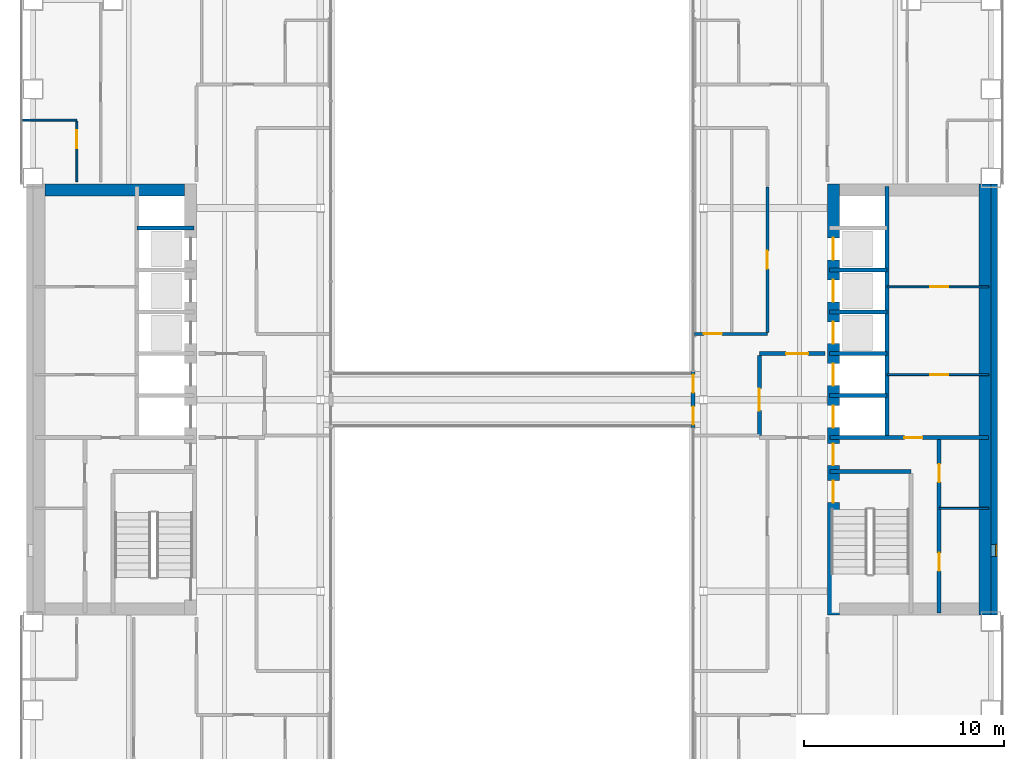
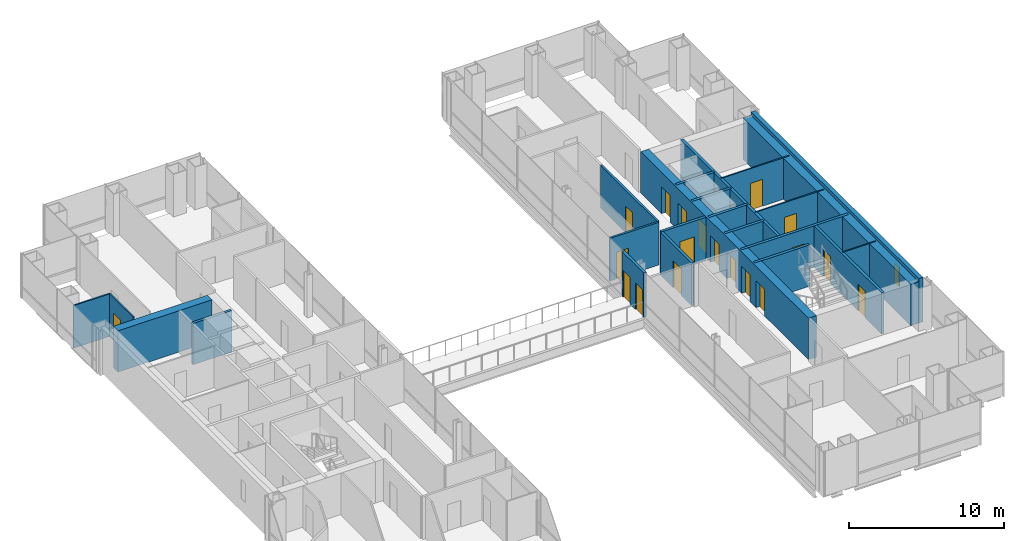
# One storey, part 16 of 19: 23 walls, 19 doors, 1 window, 20 openings.
"""IFC4 building model written with IfcOpenShell, lengths in metres."""

from ifc_helpers import new_model, si_unit, direction, frame, frame_2d, origin, place, context, subcontext, project, spatial, rectangle, extrude, material, layer, layer_set, type_object, element, fill, save


model = new_model("IFC4")

# Units and contexts
model_context = context("Model", 3, precision=1e-05, world=origin(), true_north=direction((0.0, 1.0)))
body_context = subcontext(model_context, "Body", "Model", "MODEL_VIEW")
ifc_project = project(units=[si_unit("LENGTHUNIT", "METRE"), si_unit("AREAUNIT", "SQUARE_METRE"), si_unit("VOLUMEUNIT", "CUBIC_METRE"), si_unit("PLANEANGLEUNIT", "RADIAN"), si_unit("MASSUNIT", "GRAM", prefix="KILO")], contexts=[model_context])

# Site, building, storey
site_placement = place(None, origin())
site = spatial("IfcSite", under=ifc_project, at=site_placement, CompositionType="ELEMENT")
building_placement = place(site_placement, origin())
building = spatial("IfcBuilding", under=site, at=building_placement, Name="Cobrizo Arcos Hotel Tower", CompositionType="ELEMENT")
storey_placement = place(building_placement, frame((0.0, 0.0, 63.5)))
storey = spatial("IfcBuildingStorey", under=building, at=storey_placement, Name="L14", CompositionType="ELEMENT", Elevation=63.5)

# Wall, opening, door
ifc_material_1 = material(Name="Gypsum board partition")
ifc_layer_1 = layer(ifc_material_1, 0.14990234375)
ifc_layer_set_1 = layer_set([ifc_layer_1], Name="Corridor wall EI 60 150")
wall_type_1 = type_object("IfcWallType", Name="Corridor wall EI 60 150", PredefinedType="PARTITIONING", material=ifc_layer_set_1)
wall_1_placement = place(storey_placement, frame((9.14990234375, 3.300048828125, 0.0), z_axis=(0.0, 0.0, 1.0), x_axis=(1.0, 0.0, 0.0)))
wall_1 = element("IfcWall", 1, at=wall_1_placement, inside=storey, type_object=wall_type_1, Name="Partition 029", PredefinedType="PARTITIONING", context=body_context, shape_type="SweptSolid", body=[
    extrude(rectangle(XDim=3.650146484375, YDim=0.14990234375, at=frame_2d((1.8251953125, 0.0))), origin(), (0.0, 0.0, 1.0), 3.35009765625),
])
opening_1_placement = place(wall_1_placement, frame((0.4619140625, 0.0, 0.0)))
opening_1 = element("IfcOpeningElement", 2, at=opening_1_placement, cuts=wall_1, Name="Opening ED-09", PredefinedType="OPENING", context=body_context, shape_type="SweptSolid", body=[
    extrude(rectangle(XDim=0.89990234375, YDim=2.10009765625, at=frame_2d((0.449951171875, 1.050048828125))), frame((0.0, 0.0869140625, 0.0), z_axis=(0.0, -1.0, 0.0), x_axis=(1.0, 0.0, 0.0)), (0.0, 0.0, 1.0), 0.173828125),
])
ifc_material_2 = material(Name="Timber door leaf", Category="wood")
door_type_1 = type_object("IfcDoorType", Name="En-suite door 900x2100", OperationType="SINGLE_SWING_LEFT", PredefinedType="DOOR", material=ifc_material_2)
door_1_placement = place(opening_1_placement, origin())
door_1 = element("IfcDoor", 3, at=door_1_placement, inside=storey, type_object=door_type_1, Name="Door ED-09", OperationType="SINGLE_SWING_LEFT", OverallHeight=2.10009765625, OverallWidth=0.89990234375, PredefinedType="DOOR", context=body_context, shape_type="SweptSolid", body=[
    extrude(rectangle(XDim=0.89990234375, YDim=2.10009765625, at=frame_2d((0.449951171875, 1.050048828125))), frame((0.0, 0.02490234375, 0.0), z_axis=(0.0, -1.0, 0.0), x_axis=(1.0, 0.0, 0.0)), (0.0, 0.0, 1.0), 0.050048828125),
])
fill(opening_1, door_1)

wall_2_placement = place(storey_placement, frame((12.800048828125, 3.375, 0.0), z_axis=(0.0, 0.0, 1.0), x_axis=(0.0, 1.0, 0.0)))
wall_2 = element("IfcWall", 4, at=wall_2_placement, inside=storey, type_object=wall_type_1, Name="Partition 073", PredefinedType="PARTITIONING", context=body_context, shape_type="SweptSolid", body=[
    extrude(rectangle(XDim=7.27490234375, YDim=0.14990234375, at=frame_2d((3.637451171875, 0.0))), origin(), (0.0, 0.0, 1.0), 3.35009765625),
])
opening_2_placement = place(wall_2_placement, frame((3.175048828125, 0.0, 0.0)))
opening_2 = element("IfcOpeningElement", 5, at=opening_2_placement, cuts=wall_2, Name="Opening ED-10", PredefinedType="OPENING", context=body_context, shape_type="SweptSolid", body=[
    extrude(rectangle(XDim=0.89990234375, YDim=2.10009765625, at=frame_2d((0.449951171875, 1.050048828125))), frame((0.0, 0.0869140625, 0.0), z_axis=(0.0, -1.0, 0.0), x_axis=(1.0, 0.0, 0.0)), (0.0, 0.0, 1.0), 0.173828125),
])
door_2_placement = place(opening_2_placement, origin())
door_2 = element("IfcDoor", 6, at=door_2_placement, inside=storey, type_object=door_type_1, Name="Door ED-10", OperationType="SINGLE_SWING_RIGHT", OverallHeight=2.10009765625, OverallWidth=0.89990234375, PredefinedType="DOOR", context=body_context, shape_type="SweptSolid", body=[
    extrude(rectangle(XDim=0.89990234375, YDim=2.10009765625, at=frame_2d((0.449951171875, 1.050048828125))), frame((0.0, 0.02490234375, 0.0), z_axis=(0.0, -1.0, 0.0), x_axis=(1.0, 0.0, 0.0)), (0.0, 0.0, 1.0), 0.050048828125),
])
fill(opening_2, door_2)

# Wall, opening, window
ifc_material_3 = material(Name="Aluminium composite panel pale metal", Category="aluminium")
ifc_layer_2 = layer(ifc_material_3, 0.324951171875)
ifc_layer_set_2 = layer_set([ifc_layer_2], Name="EW-1 insulated panel wall 325")
wall_type_2 = type_object("IfcWallType", Name="EW-1 insulated panel wall 325", PredefinedType="SOLIDWALL", material=ifc_layer_set_2)
wall_3_placement = place(storey_placement, frame((24.16259765625, -10.800048828125, 0.0), z_axis=(0.0, 0.0, 1.0), x_axis=(0.0, 1.0, 0.0)))
wall_3 = element("IfcWall", 7, at=wall_3_placement, inside=storey, type_object=wall_type_2, Name="Core face wall L14 E", PredefinedType="SOLIDWALL", context=body_context, shape_type="SweptSolid", body=[
    extrude(rectangle(XDim=21.60009765625, YDim=0.324951171875, at=frame_2d((10.800048828125, 0.0))), origin(), (0.0, 0.0, 1.0), 3.5),
])
opening_3_placement = place(wall_3_placement, frame((2.949951171875, 0.0, 1.0)))
opening_3 = element("IfcOpeningElement", 8, at=opening_3_placement, cuts=wall_3, Name="Opening W-23", PredefinedType="OPENING", context=body_context, shape_type="SweptSolid", body=[
    extrude(rectangle(XDim=0.60009765625, YDim=1.5, at=frame_2d((0.300048828125, 0.75))), frame((0.0, 0.174560546875, 0.0), z_axis=(0.0, -1.0, 0.0), x_axis=(1.0, 0.0, 0.0)), (0.0, 0.0, 1.0), 0.348876953125),
])
ifc_material_4 = material(Name="Aluminium 6063-T6 and clear laminated glass", Category="aluminium")
window_type = type_object("IfcWindowType", Name="W-C1 core stair slot window 600x1500", PartitioningType="SINGLE_PANEL", PredefinedType="WINDOW", material=ifc_material_4)
window_placement = place(opening_3_placement, origin())
window = element("IfcWindow", 9, at=window_placement, inside=storey, type_object=window_type, Name="Core face wall L14 E window W-23", OverallHeight=1.5, OverallWidth=0.60009765625, PartitioningType="SINGLE_PANEL", PredefinedType="WINDOW", context=body_context, shape_type="SweptSolid", body=[
    extrude(rectangle(XDim=0.60009765625, YDim=1.5, at=frame_2d((0.300048828125, 0.75))), frame((0.0, -0.072509765625, 0.0), z_axis=(0.0, -1.0, 0.0), x_axis=(1.0, 0.0, 0.0)), (0.0, 0.0, 1.0), 0.06005859375),
])
fill(opening_3, window)

# Wall, openings, doors
ifc_material_5 = material(Name="Aluminium 6063-T6 anodised pale", Category="aluminium")
ifc_layer_3 = layer(ifc_material_5, 0.199951171875)
ifc_layer_set_3 = layer_set([ifc_layer_3], Name="EW-4 sky bridge door frame wall")
wall_type_3 = type_object("IfcWallType", Name="EW-4 sky bridge door frame wall", PredefinedType="SOLIDWALL", material=ifc_layer_set_3)
wall_4_placement = place(storey_placement, frame((9.074951171875, -1.39990234375, 0.0), z_axis=(0.0, 0.0, 1.0), x_axis=(0.0, 1.0, 0.0)))
wall_4 = element("IfcWall", 10, at=wall_4_placement, inside=storey, type_object=wall_type_3, Name="Sky bridge door wall A E", PredefinedType="SOLIDWALL", context=body_context, shape_type="SweptSolid", body=[
    extrude(rectangle(XDim=2.7998046875, YDim=0.199951171875, at=frame_2d((1.39990234375, 0.0))), origin(), (0.0, 0.0, 1.0), 3.5),
])
opening_4_placement = place(wall_4_placement, frame((0.14990234375, 0.0, 0.0)))
opening_4 = element("IfcOpeningElement", 11, at=opening_4_placement, cuts=wall_4, Name="Opening E-20", PredefinedType="OPENING", context=body_context, shape_type="SweptSolid", body=[
    extrude(rectangle(XDim=0.89990234375, YDim=2.10009765625, at=frame_2d((0.449951171875, 1.050048828125))), frame((0.0, 0.112060546875, 0.0), z_axis=(0.0, -1.0, 0.0), x_axis=(1.0, 0.0, 0.0)), (0.0, 0.0, 1.0), 0.223876953125),
])
opening_5_placement = place(wall_4_placement, frame((1.75, 0.0, 0.0)))
opening_5 = element("IfcOpeningElement", 12, at=opening_5_placement, cuts=wall_4, Name="Opening E-21", PredefinedType="OPENING", context=body_context, shape_type="SweptSolid", body=[
    extrude(rectangle(XDim=0.89990234375, YDim=2.10009765625, at=frame_2d((0.449951171875, 1.050048828125))), frame((0.0, 0.112060546875, 0.0), z_axis=(0.0, -1.0, 0.0), x_axis=(1.0, 0.0, 0.0)), (0.0, 0.0, 1.0), 0.223876953125),
])
door_type_2 = type_object("IfcDoorType", Name="D-B2 sky bridge single door 900x2100", OperationType="SINGLE_SWING_LEFT", PredefinedType="DOOR", material=ifc_material_4)
door_3_placement = place(opening_4_placement, origin())
door_3 = element("IfcDoor", 13, at=door_3_placement, inside=storey, type_object=door_type_2, Name="Sky bridge door wall A E door E-20", OperationType="SINGLE_SWING_LEFT", OverallHeight=2.10009765625, OverallWidth=0.89990234375, PredefinedType="DOOR", context=body_context, shape_type="SweptSolid", body=[
    extrude(rectangle(XDim=0.89990234375, YDim=2.10009765625, at=frame_2d((0.449951171875, 1.050048828125))), frame((0.0, 0.02490234375, 0.0), z_axis=(0.0, -1.0, 0.0), x_axis=(1.0, 0.0, 0.0)), (0.0, 0.0, 1.0), 0.050048828125),
])
fill(opening_4, door_3)
door_4_placement = place(opening_5_placement, origin())
door_4 = element("IfcDoor", 14, at=door_4_placement, inside=storey, type_object=door_type_2, Name="Sky bridge door wall A E door E-21", OperationType="SINGLE_SWING_RIGHT", OverallHeight=2.10009765625, OverallWidth=0.89990234375, PredefinedType="DOOR", context=body_context, shape_type="SweptSolid", body=[
    extrude(rectangle(XDim=0.89990234375, YDim=2.10009765625, at=frame_2d((0.449951171875, 1.050048828125))), frame((0.0, 0.02490234375, 0.0), z_axis=(0.0, -1.0, 0.0), x_axis=(1.0, 0.0, 0.0)), (0.0, 0.0, 1.0), 0.050048828125),
])
fill(opening_5, door_4)

# Wall
ifc_layer_4 = layer(ifc_material_1, 0.10009765625)
ifc_layer_set_4 = layer_set([ifc_layer_4], Name="Partition EI 30 100")
wall_type_4 = type_object("IfcWallType", Name="Partition EI 30 100", PredefinedType="PARTITIONING", material=ifc_layer_set_4)
wall_5_placement = place(storey_placement, frame((21.39990234375, -5.449951171875, 0.0), z_axis=(0.0, 0.0, 1.0), x_axis=(1.0, 0.0, 0.0)))
element("IfcWall", 15, at=wall_5_placement, inside=storey, type_object=wall_type_4, Name="Partition 011", PredefinedType="PARTITIONING", context=body_context, shape_type="SweptSolid", body=[
    extrude(rectangle(XDim=2.47998046875, YDim=0.10009765625, at=frame_2d((1.239990234375, 0.0))), origin(), (0.0, 0.0, 1.0), 3.25),
])

# Wall, opening, door
wall_6_placement = place(storey_placement, frame((18.800048828125, 1.25, 0.0), z_axis=(0.0, 0.0, 1.0), x_axis=(1.0, 0.0, 0.0)))
wall_6 = element("IfcWall", 16, at=wall_6_placement, inside=storey, type_object=wall_type_4, Name="Partition 023", PredefinedType="PARTITIONING", context=body_context, shape_type="SweptSolid", body=[
    extrude(rectangle(XDim=5.079833984375, YDim=0.10009765625, at=frame_2d((2.5400390625, 0.0))), origin(), (0.0, 0.0, 1.0), 3.25),
])
opening_6_placement = place(wall_6_placement, frame((2.14990234375, 0.0, 0.0)))
opening_6 = element("IfcOpeningElement", 17, at=opening_6_placement, cuts=wall_6, Name="Opening RD-09", PredefinedType="OPENING", context=body_context, shape_type="SweptSolid", body=[
    extrude(rectangle(XDim=0.89990234375, YDim=2.10009765625, at=frame_2d((0.449951171875, 1.050048828125))), frame((0.0, 0.06201171875, 0.0), z_axis=(0.0, -1.0, 0.0), x_axis=(1.0, 0.0, 0.0)), (0.0, 0.0, 1.0), 0.1240234375),
])
door_type_3 = type_object("IfcDoorType", Name="Room door FD30 900x2100", OperationType="SINGLE_SWING_LEFT", PredefinedType="DOOR", material=ifc_material_2)
door_5_placement = place(opening_6_placement, origin())
door_5 = element("IfcDoor", 18, at=door_5_placement, inside=storey, type_object=door_type_3, Name="Door RD-09", OperationType="SINGLE_SWING_RIGHT", OverallHeight=2.10009765625, OverallWidth=0.89990234375, PredefinedType="DOOR", context=body_context, shape_type="SweptSolid", body=[
    extrude(rectangle(XDim=0.89990234375, YDim=2.10009765625, at=frame_2d((0.449951171875, 1.050048828125))), frame((0.0, 0.02490234375, 0.0), z_axis=(0.0, -1.0, 0.0), x_axis=(1.0, 0.0, 0.0)), (0.0, 0.0, 1.0), 0.050048828125),
])
fill(opening_6, door_5)

wall_7_placement = place(storey_placement, frame((18.800048828125, 5.64990234375, 0.0), z_axis=(0.0, 0.0, 1.0), x_axis=(1.0, 0.0, 0.0)))
wall_7 = element("IfcWall", 19, at=wall_7_placement, inside=storey, type_object=wall_type_4, Name="Partition 033", PredefinedType="PARTITIONING", context=body_context, shape_type="SweptSolid", body=[
    extrude(rectangle(XDim=5.079833984375, YDim=0.10009765625, at=frame_2d((2.5400390625, 0.0))), origin(), (0.0, 0.0, 1.0), 3.25),
])
opening_7_placement = place(wall_7_placement, frame((2.14990234375, 0.0, 0.0)))
opening_7 = element("IfcOpeningElement", 20, at=opening_7_placement, cuts=wall_7, Name="Opening RD-10", PredefinedType="OPENING", context=body_context, shape_type="SweptSolid", body=[
    extrude(rectangle(XDim=0.89990234375, YDim=2.10009765625, at=frame_2d((0.449951171875, 1.050048828125))), frame((0.0, 0.06201171875, 0.0), z_axis=(0.0, -1.0, 0.0), x_axis=(1.0, 0.0, 0.0)), (0.0, 0.0, 1.0), 0.1240234375),
])
door_6_placement = place(opening_7_placement, origin())
door_6 = element("IfcDoor", 21, at=door_6_placement, inside=storey, type_object=door_type_3, Name="Door RD-10", OperationType="SINGLE_SWING_LEFT", OverallHeight=2.10009765625, OverallWidth=0.89990234375, PredefinedType="DOOR", context=body_context, shape_type="SweptSolid", body=[
    extrude(rectangle(XDim=0.89990234375, YDim=2.10009765625, at=frame_2d((0.449951171875, 1.050048828125))), frame((0.0, 0.02490234375, 0.0), z_axis=(0.0, -1.0, 0.0), x_axis=(1.0, 0.0, 0.0)), (0.0, 0.0, 1.0), 0.050048828125),
])
fill(opening_7, door_6)

# Wall
wall_8_placement = place(storey_placement, frame((-24.530029296875, 14.0, 0.0), z_axis=(0.0, 0.0, 1.0), x_axis=(1.0, 0.0, 0.0)))
element("IfcWall", 22, at=wall_8_placement, inside=storey, type_object=wall_type_4, Name="Partition 040", PredefinedType="PARTITIONING", context=body_context, shape_type="SweptSolid", body=[
    extrude(rectangle(XDim=2.72998046875, YDim=0.10009765625, at=frame_2d((1.364990234375, 0.0))), origin(), (0.0, 0.0, 1.0), 3.35009765625),
])

# Wall, opening, door
wall_9_placement = place(storey_placement, frame((-21.800048828125, 10.919921875, 0.0), z_axis=(0.0, 0.0, 1.0), x_axis=(0.0, 1.0, 0.0)))
wall_9 = element("IfcWall", 23, at=wall_9_placement, inside=storey, type_object=wall_type_4, Name="Partition 047", PredefinedType="PARTITIONING", context=body_context, shape_type="SweptSolid", body=[
    extrude(rectangle(XDim=3.030029296875, YDim=0.10009765625, at=frame_2d((1.51513671875, 0.0))), origin(), (0.0, 0.0, 1.0), 3.35009765625),
])
opening_8_placement = place(wall_9_placement, frame((1.669921875, 0.0, 0.0)))
opening_8 = element("IfcOpeningElement", 24, at=opening_8_placement, cuts=wall_9, Name="Opening ED-06", PredefinedType="OPENING", context=body_context, shape_type="SweptSolid", body=[
    extrude(rectangle(XDim=0.89990234375, YDim=2.10009765625, at=frame_2d((0.449951171875, 1.050048828125))), frame((0.0, 0.06201171875, 0.0), z_axis=(0.0, -1.0, 0.0), x_axis=(1.0, 0.0, 0.0)), (0.0, 0.0, 1.0), 0.1240234375),
])
door_7_placement = place(opening_8_placement, origin())
door_7 = element("IfcDoor", 25, at=door_7_placement, inside=storey, type_object=door_type_1, Name="Door ED-06", OperationType="SINGLE_SWING_RIGHT", OverallHeight=2.10009765625, OverallWidth=0.89990234375, PredefinedType="DOOR", context=body_context, shape_type="SweptSolid", body=[
    extrude(rectangle(XDim=0.89990234375, YDim=2.10009765625, at=frame_2d((0.449951171875, 1.050048828125))), frame((0.0, 0.02490234375, 0.0), z_axis=(0.0, -1.0, 0.0), x_axis=(1.0, 0.0, 0.0)), (0.0, 0.0, 1.0), 0.050048828125),
])
fill(opening_8, door_7)

# Wall, openings, doors
ifc_material_6 = material(Name="Concrete f'c 60 MPa", Category="concrete")
ifc_layer_5 = layer(ifc_material_6, 0.60009765625)
ifc_layer_set_5 = layer_set([ifc_layer_5], Name="RC core wall 600 f'c 60")
wall_type_5 = type_object("IfcWallType", Name="RC core wall 600 f'c 60", PredefinedType="SHEAR", material=ifc_layer_set_5)
wall_10_placement = place(storey_placement, frame((16.10009765625, -10.800048828125, 0.0), z_axis=(0.0, 0.0, 1.0), x_axis=(0.0, 1.0, 0.0)))
wall_10 = element("IfcWall", 26, at=wall_10_placement, inside=storey, type_object=wall_type_5, Name="Core wall CW1, east core, inner face, L14", PredefinedType="SHEAR", context=body_context, shape_type="SweptSolid", body=[
    extrude(rectangle(XDim=21.60009765625, YDim=0.60009765625, at=frame_2d((10.800048828125, 0.0))), origin(), (0.0, 0.0, 1.0), 3.25),
])
opening_9_placement = place(wall_10_placement, frame((9.39990234375, 0.0, 0.0)))
opening_9 = element("IfcOpeningElement", 27, at=opening_9_placement, cuts=wall_10, Name="Opening LD-06", PredefinedType="OPENING", context=body_context, shape_type="SweptSolid", body=[
    extrude(rectangle(XDim=1.10009765625, YDim=2.10009765625, at=frame_2d((0.550048828125, 1.050048828125))), frame((0.0, 0.31201171875, 0.0), z_axis=(0.0, -1.0, 0.0), x_axis=(1.0, 0.0, 0.0)), (0.0, 0.0, 1.0), 0.6240234375),
])
opening_10_placement = place(wall_10_placement, frame((11.5, 0.0, 0.0)))
opening_10 = element("IfcOpeningElement", 28, at=opening_10_placement, cuts=wall_10, Name="Opening LD-07", PredefinedType="OPENING", context=body_context, shape_type="SweptSolid", body=[
    extrude(rectangle(XDim=1.10009765625, YDim=2.10009765625, at=frame_2d((0.550048828125, 1.050048828125))), frame((0.0, 0.31201171875, 0.0), z_axis=(0.0, -1.0, 0.0), x_axis=(1.0, 0.0, 0.0)), (0.0, 0.0, 1.0), 0.6240234375),
])
opening_11_placement = place(wall_10_placement, frame((13.60009765625, 0.0, 0.0)))
opening_11 = element("IfcOpeningElement", 29, at=opening_11_placement, cuts=wall_10, Name="Opening LD-08", PredefinedType="OPENING", context=body_context, shape_type="SweptSolid", body=[
    extrude(rectangle(XDim=1.10009765625, YDim=2.10009765625, at=frame_2d((0.550048828125, 1.050048828125))), frame((0.0, 0.31201171875, 0.0), z_axis=(0.0, -1.0, 0.0), x_axis=(1.0, 0.0, 0.0)), (0.0, 0.0, 1.0), 0.6240234375),
])
opening_12_placement = place(wall_10_placement, frame((15.699951171875, 0.0, 0.0)))
opening_12 = element("IfcOpeningElement", 30, at=opening_12_placement, cuts=wall_10, Name="Opening LD-09", PredefinedType="OPENING", context=body_context, shape_type="SweptSolid", body=[
    extrude(rectangle(XDim=1.10009765625, YDim=2.10009765625, at=frame_2d((0.550048828125, 1.050048828125))), frame((0.0, 0.31201171875, 0.0), z_axis=(0.0, -1.0, 0.0), x_axis=(1.0, 0.0, 0.0)), (0.0, 0.0, 1.0), 0.6240234375),
])
opening_13_placement = place(wall_10_placement, frame((17.800048828125, 0.0, 0.0)))
opening_13 = element("IfcOpeningElement", 31, at=opening_13_placement, cuts=wall_10, Name="Opening LD-10", PredefinedType="OPENING", context=body_context, shape_type="SweptSolid", body=[
    extrude(rectangle(XDim=1.10009765625, YDim=2.10009765625, at=frame_2d((0.550048828125, 1.050048828125))), frame((0.0, 0.31201171875, 0.0), z_axis=(0.0, -1.0, 0.0), x_axis=(1.0, 0.0, 0.0)), (0.0, 0.0, 1.0), 0.6240234375),
])
opening_14_placement = place(wall_10_placement, frame((5.64208984375, 0.0, 0.0)))
opening_14 = element("IfcOpeningElement", 32, at=opening_14_placement, cuts=wall_10, Name="Opening SD-02", PredefinedType="OPENING", context=body_context, shape_type="SweptSolid", body=[
    extrude(rectangle(XDim=1.10009765625, YDim=2.10009765625, at=frame_2d((0.550048828125, 1.050048828125))), frame((0.0, 0.31201171875, 0.0), z_axis=(0.0, -1.0, 0.0), x_axis=(1.0, 0.0, 0.0)), (0.0, 0.0, 1.0), 0.6240234375),
])
opening_15_placement = place(wall_10_placement, frame((7.5, 0.0, 0.0)))
opening_15 = element("IfcOpeningElement", 33, at=opening_15_placement, cuts=wall_10, Name="Opening FD-05", PredefinedType="OPENING", context=body_context, shape_type="SweptSolid", body=[
    extrude(rectangle(XDim=1.10009765625, YDim=2.10009765625, at=frame_2d((0.550048828125, 1.050048828125))), frame((0.0, 0.31201171875, 0.0), z_axis=(0.0, -1.0, 0.0), x_axis=(1.0, 0.0, 0.0)), (0.0, 0.0, 1.0), 0.6240234375),
])
ifc_material_7 = material(Name="Steel door leaf", Category="steel")
door_type_4 = type_object("IfcDoorType", Name="Fire door FD60 1100x2100", OperationType="SINGLE_SWING_LEFT", PredefinedType="DOOR", material=ifc_material_7)
door_8_placement = place(opening_15_placement, origin())
door_8 = element("IfcDoor", 34, at=door_8_placement, inside=storey, type_object=door_type_4, Name="Door FD-05", OperationType="SINGLE_SWING_RIGHT", OverallHeight=2.10009765625, OverallWidth=1.10009765625, PredefinedType="DOOR", context=body_context, shape_type="SweptSolid", body=[
    extrude(rectangle(XDim=1.10009765625, YDim=2.10009765625, at=frame_2d((0.550048828125, 1.050048828125))), frame((0.0, 0.02490234375, 0.0), z_axis=(0.0, -1.0, 0.0), x_axis=(1.0, 0.0, 0.0)), (0.0, 0.0, 1.0), 0.050048828125),
])
fill(opening_15, door_8)
door_type_5 = type_object("IfcDoorType", Name="Lift landing door 1100x2100", OperationType="SLIDING_TO_LEFT", PredefinedType="DOOR", material=ifc_material_7)
door_9_placement = place(opening_9_placement, origin())
door_9 = element("IfcDoor", 35, at=door_9_placement, inside=storey, type_object=door_type_5, Name="Lift landing door LD-06", OperationType="SLIDING_TO_LEFT", OverallHeight=2.10009765625, OverallWidth=1.10009765625, PredefinedType="DOOR", context=body_context, shape_type="SweptSolid", body=[
    extrude(rectangle(XDim=1.10009765625, YDim=2.10009765625, at=frame_2d((0.550048828125, 1.050048828125))), frame((0.0, 0.02490234375, 0.0), z_axis=(0.0, -1.0, 0.0), x_axis=(1.0, 0.0, 0.0)), (0.0, 0.0, 1.0), 0.050048828125),
])
fill(opening_9, door_9)
door_10_placement = place(opening_10_placement, origin())
door_10 = element("IfcDoor", 36, at=door_10_placement, inside=storey, type_object=door_type_5, Name="Lift landing door LD-07", OperationType="SLIDING_TO_LEFT", OverallHeight=2.10009765625, OverallWidth=1.10009765625, PredefinedType="DOOR", context=body_context, shape_type="SweptSolid", body=[
    extrude(rectangle(XDim=1.10009765625, YDim=2.10009765625, at=frame_2d((0.550048828125, 1.050048828125))), frame((0.0, 0.02490234375, 0.0), z_axis=(0.0, -1.0, 0.0), x_axis=(1.0, 0.0, 0.0)), (0.0, 0.0, 1.0), 0.050048828125),
])
fill(opening_10, door_10)
door_11_placement = place(opening_11_placement, origin())
door_11 = element("IfcDoor", 37, at=door_11_placement, inside=storey, type_object=door_type_5, Name="Lift landing door LD-08", OperationType="SLIDING_TO_LEFT", OverallHeight=2.10009765625, OverallWidth=1.10009765625, PredefinedType="DOOR", context=body_context, shape_type="SweptSolid", body=[
    extrude(rectangle(XDim=1.10009765625, YDim=2.10009765625, at=frame_2d((0.550048828125, 1.050048828125))), frame((0.0, 0.02490234375, 0.0), z_axis=(0.0, -1.0, 0.0), x_axis=(1.0, 0.0, 0.0)), (0.0, 0.0, 1.0), 0.050048828125),
])
fill(opening_11, door_11)
door_12_placement = place(opening_12_placement, origin())
door_12 = element("IfcDoor", 38, at=door_12_placement, inside=storey, type_object=door_type_5, Name="Lift landing door LD-09", OperationType="SLIDING_TO_LEFT", OverallHeight=2.10009765625, OverallWidth=1.10009765625, PredefinedType="DOOR", context=body_context, shape_type="SweptSolid", body=[
    extrude(rectangle(XDim=1.10009765625, YDim=2.10009765625, at=frame_2d((0.550048828125, 1.050048828125))), frame((0.0, 0.02490234375, 0.0), z_axis=(0.0, -1.0, 0.0), x_axis=(1.0, 0.0, 0.0)), (0.0, 0.0, 1.0), 0.050048828125),
])
fill(opening_12, door_12)
door_13_placement = place(opening_13_placement, origin())
door_13 = element("IfcDoor", 39, at=door_13_placement, inside=storey, type_object=door_type_5, Name="Lift landing door LD-10", OperationType="SLIDING_TO_LEFT", OverallHeight=2.10009765625, OverallWidth=1.10009765625, PredefinedType="DOOR", context=body_context, shape_type="SweptSolid", body=[
    extrude(rectangle(XDim=1.10009765625, YDim=2.10009765625, at=frame_2d((0.550048828125, 1.050048828125))), frame((0.0, 0.02490234375, 0.0), z_axis=(0.0, -1.0, 0.0), x_axis=(1.0, 0.0, 0.0)), (0.0, 0.0, 1.0), 0.050048828125),
])
fill(opening_13, door_13)
door_type_6 = type_object("IfcDoorType", Name="Stair door FD60S 1100x2100", OperationType="SINGLE_SWING_LEFT", PredefinedType="DOOR", material=ifc_material_7)
door_14_placement = place(opening_14_placement, origin())
door_14 = element("IfcDoor", 40, at=door_14_placement, inside=storey, type_object=door_type_6, Name="Door SD-02", OperationType="SINGLE_SWING_LEFT", OverallHeight=2.10009765625, OverallWidth=1.10009765625, PredefinedType="DOOR", context=body_context, shape_type="SweptSolid", body=[
    extrude(rectangle(XDim=1.10009765625, YDim=2.10009765625, at=frame_2d((0.550048828125, 1.050048828125))), frame((0.0, 0.02490234375, 0.0), z_axis=(0.0, -1.0, 0.0), x_axis=(1.0, 0.0, 0.0)), (0.0, 0.0, 1.0), 0.050048828125),
])
fill(opening_14, door_14)

# Walls
wall_11_placement = place(storey_placement, frame((23.699951171875, -10.800048828125, 0.0), z_axis=(0.0, 0.0, 1.0), x_axis=(0.0, 1.0, 0.0)))
element("IfcWall", 41, at=wall_11_placement, inside=storey, type_object=wall_type_5, Name="Core wall CW1, east core, outer face, L14", PredefinedType="SHEAR", context=body_context, shape_type="SweptSolid", body=[
    extrude(rectangle(XDim=21.60009765625, YDim=0.60009765625, at=frame_2d((10.800048828125, 0.0))), origin(), (0.0, 0.0, 1.0), 3.25),
])
wall_12_placement = place(storey_placement, frame((-23.39990234375, 10.5, 0.0), z_axis=(0.0, 0.0, 1.0), x_axis=(1.0, 0.0, 0.0)))
element("IfcWall", 42, at=wall_12_placement, inside=storey, type_object=wall_type_5, Name="Core wall CW1, west core, north end, L14", PredefinedType="SHEAR", context=body_context, shape_type="SweptSolid", body=[
    extrude(rectangle(XDim=7.0, YDim=0.60009765625, at=frame_2d((3.5, 0.0))), origin(), (0.0, 0.0, 1.0), 3.25),
])

# Wall, opening, door
ifc_layer_6 = layer(ifc_material_1, 0.199951171875)
ifc_layer_set_6 = layer_set([ifc_layer_6], Name="Shaft wall EI 120 200")
wall_type_6 = type_object("IfcWallType", Name="Shaft wall EI 120 200", PredefinedType="PARTITIONING", material=ifc_layer_set_6)
wall_13_placement = place(storey_placement, frame((15.919921875, -1.89990234375, 0.0), z_axis=(0.0, 0.0, 1.0), x_axis=(1.0, 0.0, 0.0)))
wall_13 = element("IfcWall", 43, at=wall_13_placement, inside=storey, type_object=wall_type_6, Name="Partition 017", PredefinedType="PARTITIONING", context=body_context, shape_type="SweptSolid", body=[
    extrude(rectangle(XDim=7.9599609375, YDim=0.199951171875, at=frame_2d((3.97998046875, 0.0))), origin(), (0.0, 0.0, 1.0), 3.25),
])
opening_16_placement = place(wall_13_placement, frame((3.739990234375, 0.0, 0.0)))
opening_16 = element("IfcOpeningElement", 44, at=opening_16_placement, cuts=wall_13, Name="Opening RD-08", PredefinedType="OPENING", context=body_context, shape_type="SweptSolid", body=[
    extrude(rectangle(XDim=0.89990234375, YDim=2.10009765625, at=frame_2d((0.449951171875, 1.050048828125))), frame((0.0, 0.112060546875, 0.0), z_axis=(0.0, -1.0, 0.0), x_axis=(1.0, 0.0, 0.0)), (0.0, 0.0, 1.0), 0.223876953125),
])
door_15_placement = place(opening_16_placement, origin())
door_15 = element("IfcDoor", 45, at=door_15_placement, inside=storey, type_object=door_type_3, Name="Door RD-08", OperationType="SINGLE_SWING_LEFT", OverallHeight=2.10009765625, OverallWidth=0.89990234375, PredefinedType="DOOR", context=body_context, shape_type="SweptSolid", body=[
    extrude(rectangle(XDim=0.89990234375, YDim=2.10009765625, at=frame_2d((0.449951171875, 1.050048828125))), frame((0.0, 0.02490234375, 0.0), z_axis=(0.0, -1.0, 0.0), x_axis=(1.0, 0.0, 0.0)), (0.0, 0.0, 1.0), 0.050048828125),
])
fill(opening_16, door_15)

# Wall
wall_14_placement = place(storey_placement, frame((15.919921875, 0.199951171875, 0.0), z_axis=(0.0, 0.0, 1.0), x_axis=(1.0, 0.0, 0.0)))
element("IfcWall", 46, at=wall_14_placement, inside=storey, type_object=wall_type_6, Name="Partition 021", PredefinedType="PARTITIONING", context=body_context, shape_type="SweptSolid", body=[
    extrude(rectangle(XDim=2.880126953125, YDim=0.199951171875, at=frame_2d((1.43994140625, 0.0))), origin(), (0.0, 0.0, 1.0), 3.25),
])

# Wall, opening, door
wall_15_placement = place(storey_placement, frame((12.39990234375, 2.300048828125, 0.0), z_axis=(0.0, 0.0, 1.0), x_axis=(1.0, 0.0, 0.0)))
wall_15 = element("IfcWall", 47, at=wall_15_placement, inside=storey, type_object=wall_type_6, Name="Partition 026", PredefinedType="PARTITIONING", context=body_context, shape_type="SweptSolid", body=[
    extrude(rectangle(XDim=3.280029296875, YDim=0.199951171875, at=frame_2d((1.64013671875, 0.0))), origin(), (0.0, 0.0, 1.0), 3.35009765625),
])
opening_17_placement = place(wall_15_placement, frame((1.340087890625, 0.0, 0.0)))
opening_17 = element("IfcOpeningElement", 48, at=opening_17_placement, cuts=wall_15, Name="Opening FD-08", PredefinedType="OPENING", context=body_context, shape_type="SweptSolid", body=[
    extrude(rectangle(XDim=1.10009765625, YDim=2.10009765625, at=frame_2d((0.550048828125, 1.050048828125))), frame((0.0, 0.112060546875, 0.0), z_axis=(0.0, -1.0, 0.0), x_axis=(1.0, 0.0, 0.0)), (0.0, 0.0, 1.0), 0.223876953125),
])
door_16_placement = place(opening_17_placement, origin())
door_16 = element("IfcDoor", 49, at=door_16_placement, inside=storey, type_object=door_type_4, Name="Door FD-08", OperationType="SINGLE_SWING_RIGHT", OverallHeight=2.10009765625, OverallWidth=1.10009765625, PredefinedType="DOOR", context=body_context, shape_type="SweptSolid", body=[
    extrude(rectangle(XDim=1.10009765625, YDim=2.10009765625, at=frame_2d((0.550048828125, 1.050048828125))), frame((0.0, 0.02490234375, 0.0), z_axis=(0.0, -1.0, 0.0), x_axis=(1.0, 0.0, 0.0)), (0.0, 0.0, 1.0), 0.050048828125),
])
fill(opening_17, door_16)

# Walls
for number, where, z_axis, x_axis, name in (
    (50, (15.919921875, 2.300048828125, 0.0), (0.0, 0.0, 1.0), (1.0, 0.0, 0.0), "Partition 027"),
    (51, (15.919921875, 4.39990234375, 0.0), (0.0, 0.0, 1.0), (1.0, 0.0, 0.0), "Partition 031"),
    (52, (15.919921875, 6.5, 0.0), (0.0, 0.0, 1.0), (1.0, 0.0, 0.0), "Partition 035"),
    (53, (-18.800048828125, 8.60009765625, 0.0), (0.0, 0.0, 1.0), (1.0, 0.0, 0.0), "Partition 036"),
):
    element("IfcWall", number, at=place(storey_placement, frame(where, z_axis=z_axis, x_axis=x_axis)), inside=storey, type_object=wall_type_6, Name=name, PredefinedType="PARTITIONING", context=body_context, shape_type="SweptSolid", body=[
        extrude(rectangle(XDim=2.880126953125, YDim=0.199951171875, at=frame_2d((1.43994140625, 0.0))), origin(), (0.0, 0.0, 1.0), 3.25),
    ])

# Wall, opening, door
wall_16_placement = place(storey_placement, frame((12.39990234375, -1.800048828125, 0.0), z_axis=(0.0, 0.0, 1.0), x_axis=(0.0, 1.0, 0.0)))
wall_16 = element("IfcWall", 54, at=wall_16_placement, inside=storey, type_object=wall_type_6, Name="Partition 071", PredefinedType="PARTITIONING", context=body_context, shape_type="SweptSolid", body=[
    extrude(rectangle(XDim=4.0, YDim=0.199951171875, at=frame_2d((2.0, 0.0))), origin(), (0.0, 0.0, 1.0), 3.35009765625),
])
opening_18_placement = place(wall_16_placement, frame((1.25, 0.0, 0.0)))
opening_18 = element("IfcOpeningElement", 55, at=opening_18_placement, cuts=wall_16, Name="Opening FD-06", PredefinedType="OPENING", context=body_context, shape_type="SweptSolid", body=[
    extrude(rectangle(XDim=1.10009765625, YDim=2.10009765625, at=frame_2d((0.550048828125, 1.050048828125))), frame((0.0, 0.112060546875, 0.0), z_axis=(0.0, -1.0, 0.0), x_axis=(1.0, 0.0, 0.0)), (0.0, 0.0, 1.0), 0.223876953125),
])
door_17_placement = place(opening_18_placement, origin())
door_17 = element("IfcDoor", 56, at=door_17_placement, inside=storey, type_object=door_type_4, Name="Door FD-06", OperationType="SINGLE_SWING_RIGHT", OverallHeight=2.10009765625, OverallWidth=1.10009765625, PredefinedType="DOOR", context=body_context, shape_type="SweptSolid", body=[
    extrude(rectangle(XDim=1.10009765625, YDim=2.10009765625, at=frame_2d((0.550048828125, 1.050048828125))), frame((0.0, 0.02490234375, 0.0), z_axis=(0.0, -1.0, 0.0), x_axis=(1.0, 0.0, 0.0)), (0.0, 0.0, 1.0), 0.050048828125),
])
fill(opening_18, door_17)

# Wall
wall_17_placement = place(storey_placement, frame((18.800048828125, -1.800048828125, 0.0), z_axis=(0.0, 0.0, 1.0), x_axis=(0.0, 1.0, 0.0)))
element("IfcWall", 57, at=wall_17_placement, inside=storey, type_object=wall_type_6, Name="Partition 080", PredefinedType="PARTITIONING", context=body_context, shape_type="SweptSolid", body=[
    extrude(rectangle(XDim=12.47998046875, YDim=0.199951171875, at=frame_2d((6.239990234375, 0.0))), origin(), (0.0, 0.0, 1.0), 3.25),
])

# Wall, openings, doors
wall_18_placement = place(storey_placement, frame((21.39990234375, -10.679931640625, 0.0), z_axis=(0.0, 0.0, 1.0), x_axis=(0.0, 1.0, 0.0)))
wall_18 = element("IfcWall", 58, at=wall_18_placement, inside=storey, type_object=wall_type_6, Name="Partition 083", PredefinedType="PARTITIONING", context=body_context, shape_type="SweptSolid", body=[
    extrude(rectangle(XDim=8.679931640625, YDim=0.199951171875, at=frame_2d((4.33984375, 0.0))), origin(), (0.0, 0.0, 1.0), 3.25),
])
opening_19_placement = place(wall_18_placement, frame((2.10009765625, 0.0, 0.0)))
opening_19 = element("IfcOpeningElement", 59, at=opening_19_placement, cuts=wall_18, Name="Opening RD-06", PredefinedType="OPENING", context=body_context, shape_type="SweptSolid", body=[
    extrude(rectangle(XDim=0.89990234375, YDim=2.10009765625, at=frame_2d((0.449951171875, 1.050048828125))), frame((0.0, 0.112060546875, 0.0), z_axis=(0.0, -1.0, 0.0), x_axis=(1.0, 0.0, 0.0)), (0.0, 0.0, 1.0), 0.223876953125),
])
opening_20_placement = place(wall_18_placement, frame((6.550048828125, 0.0, 0.0)))
opening_20 = element("IfcOpeningElement", 60, at=opening_20_placement, cuts=wall_18, Name="Opening RD-07", PredefinedType="OPENING", context=body_context, shape_type="SweptSolid", body=[
    extrude(rectangle(XDim=0.89990234375, YDim=2.10009765625, at=frame_2d((0.449951171875, 1.050048828125))), frame((0.0, 0.112060546875, 0.0), z_axis=(0.0, -1.0, 0.0), x_axis=(1.0, 0.0, 0.0)), (0.0, 0.0, 1.0), 0.223876953125),
])
door_18_placement = place(opening_19_placement, origin())
door_18 = element("IfcDoor", 61, at=door_18_placement, inside=storey, type_object=door_type_3, Name="Door RD-06", OperationType="SINGLE_SWING_LEFT", OverallHeight=2.10009765625, OverallWidth=0.89990234375, PredefinedType="DOOR", context=body_context, shape_type="SweptSolid", body=[
    extrude(rectangle(XDim=0.89990234375, YDim=2.10009765625, at=frame_2d((0.449951171875, 1.050048828125))), frame((0.0, 0.02490234375, 0.0), z_axis=(0.0, -1.0, 0.0), x_axis=(1.0, 0.0, 0.0)), (0.0, 0.0, 1.0), 0.050048828125),
])
fill(opening_19, door_18)
door_19_placement = place(opening_20_placement, origin())
door_19 = element("IfcDoor", 62, at=door_19_placement, inside=storey, type_object=door_type_3, Name="Door RD-07", OperationType="SINGLE_SWING_RIGHT", OverallHeight=2.10009765625, OverallWidth=0.89990234375, PredefinedType="DOOR", context=body_context, shape_type="SweptSolid", body=[
    extrude(rectangle(XDim=0.89990234375, YDim=2.10009765625, at=frame_2d((0.449951171875, 1.050048828125))), frame((0.0, 0.02490234375, 0.0), z_axis=(0.0, -1.0, 0.0), x_axis=(1.0, 0.0, 0.0)), (0.0, 0.0, 1.0), 0.050048828125),
])
fill(opening_20, door_19)

# Wall
ifc_material_8 = material(Name="Concrete f'c 40 MPa", Category="concrete")
ifc_layer_7 = layer(ifc_material_8, 0.199951171875)
ifc_layer_set_7 = layer_set([ifc_layer_7], Name="Stair shaft wall 200")
wall_type_7 = type_object("IfcWallType", Name="Stair shaft wall 200", PredefinedType="SHEAR", material=ifc_layer_set_7)
wall_19_placement = place(storey_placement, frame((15.919921875, -3.60009765625, 0.0), z_axis=(0.0, 0.0, 1.0), x_axis=(1.0, 0.0, 0.0)))
element("IfcWall", 63, at=wall_19_placement, inside=storey, type_object=wall_type_7, Name="Stair shaft wall E", PredefinedType="SHEAR", context=body_context, shape_type="SweptSolid", body=[
    extrude(rectangle(XDim=4.080078125, YDim=0.199951171875, at=frame_2d((2.0400390625, 0.0))), origin(), (0.0, 0.0, 1.0), 3.25),
])

save(model, "model.ifc")
